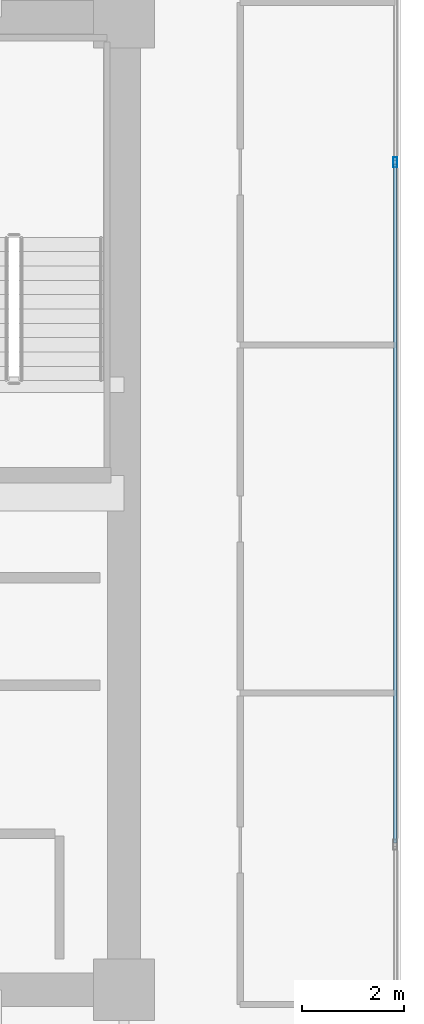
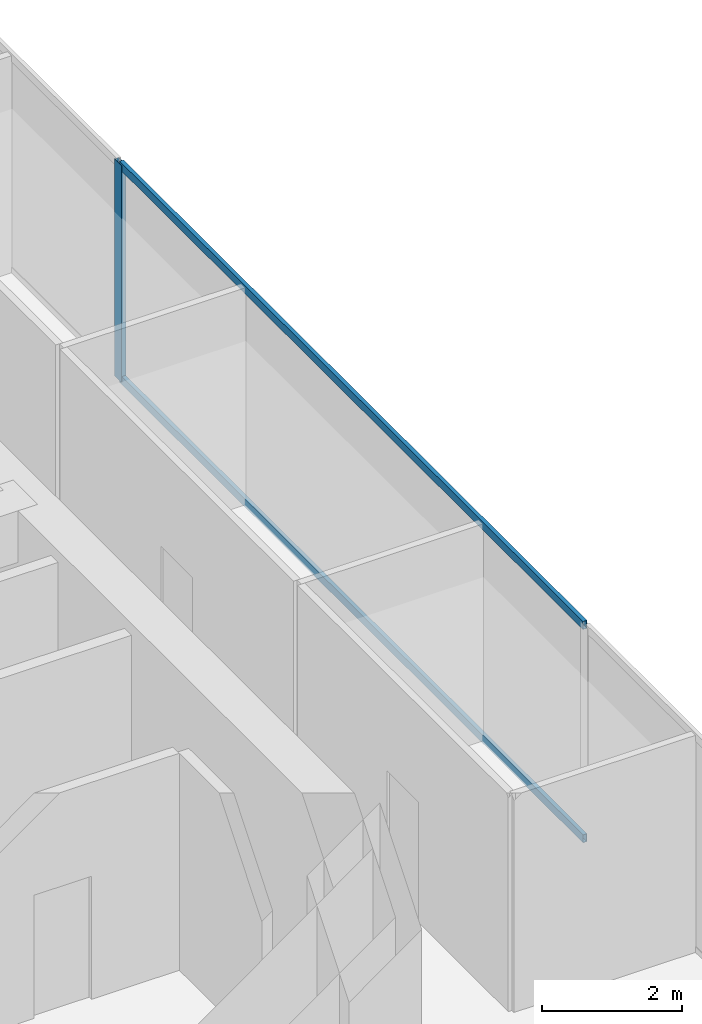
# One storey, part 22 of 33: 3 members, 1 element without a shape of its own.
"""IFC4 building model written with IfcOpenShell, lengths in metres."""

from ifc_helpers import new_model, si_unit, direction, frame, origin, origin_2d, place, context, subcontext, project, spatial, hollow_rectangle, extrude, source, transform, mapped, material, layer, layer_set, material_profile, profile_set, type_object, type_shapes, element, aggregate, save


model = new_model("IFC4")

# Units and contexts
model_context = context("Model", 3, precision=1e-05, world=origin(), true_north=direction((0.0, 1.0)))
body_context = subcontext(model_context, "Body", "Model", "MODEL_VIEW")
ifc_project = project(units=[si_unit("LENGTHUNIT", "METRE"), si_unit("AREAUNIT", "SQUARE_METRE"), si_unit("VOLUMEUNIT", "CUBIC_METRE"), si_unit("PLANEANGLEUNIT", "RADIAN"), si_unit("MASSUNIT", "GRAM", prefix="KILO")], contexts=[model_context])

# Site, building, storey
site_placement = place(None, origin())
site = spatial("IfcSite", under=ifc_project, at=site_placement, CompositionType="ELEMENT")
building_placement = place(site_placement, origin())
building = spatial("IfcBuilding", under=site, at=building_placement, Name="Haelvirn Gate Laboratories", CompositionType="ELEMENT")
storey_placement = place(building_placement, frame((0.0, 0.0, 117.39990234375)))
storey = spatial("IfcBuildingStorey", under=building, at=storey_placement, Name="L28", CompositionType="ELEMENT", Elevation=117.39990234375)

# Curtain wall, members
ifc_material_1 = material(Name="Anodised bronze unitised aluminium & triple low-E glass", Category="aluminium")
ifc_layer = layer(ifc_material_1, 0.179931640625, Name="CW-SYS-3")
ifc_layer_set = layer_set([ifc_layer], Name="Anodised bronze unitised aluminium & triple low-E glass")
curtain_wall_type = type_object("IfcCurtainWallType", Name="CW-SYS-3", PredefinedType="NOTDEFINED", material=ifc_layer_set)
curtain_wall_placement = place(storey_placement, origin())
curtain_wall = element("IfcCurtainWall", 1, at=curtain_wall_placement, inside=storey, type_object=curtain_wall_type, Name="L28 Unitised Curtain Wall CW-L28-P0-E07", PredefinedType="NOTDEFINED")
ifc_material_2 = material(Name="Extruded aluminium 6063-T6 (anodised bronze)", Category="aluminium")
ifc_material_profile_1 = material_profile(ifc_material_2, hollow_rectangle(XDim=0.06494140625, YDim=0.139892578125, WallThickness=0.00390625, at=origin_2d()), Name="CWT-140x65x4")
ifc_profile_set_1 = profile_set([ifc_material_profile_1], Name="Extruded aluminium 6063-T6 (anodised bronze)")
member_type_1 = type_object("IfcMemberType", Name="CWT-T140", PredefinedType="USERDEFINED", material=ifc_profile_set_1)
shared_shape_1 = source(origin(), body_context, "Body", "SweptSolid", [
    extrude(hollow_rectangle(XDim=0.06494140625, YDim=0.139892578125, WallThickness=0.00390625, at=origin_2d()), origin(), (0.0, 0.0, 1.0), 13.25830078125),
])
type_shapes(member_type_1, [shared_shape_1])
member_1_placement = place(storey_placement, frame((72.699951171875, 17.6708984375, 0.03271484375), z_axis=(0.0, 1.0, 0.0), x_axis=(-1.0, 0.0, 0.0)))
member_1 = element("IfcMember", 2, at=member_1_placement, type_object=member_type_1, Name="CW3 transom 2.1", ObjectType="TRANSOM", PredefinedType="USERDEFINED", context=body_context, shape_type="MappedRepresentation", body=[
    mapped(shared_shape_1, transform((0.0, 0.0, 0.0), scale=1.0)),
])
member_2_placement = place(storey_placement, frame((72.699951171875, 17.6708984375, 3.757568359375), z_axis=(0.0, 1.0, 0.0), x_axis=(-1.0, 0.0, 0.0)))
member_2 = element("IfcMember", 3, at=member_2_placement, type_object=member_type_1, Name="CW3 transom 2.2", ObjectType="TRANSOM", PredefinedType="USERDEFINED", context=body_context, shape_type="MappedRepresentation", body=[
    mapped(shared_shape_1, transform((0.0, 0.0, 0.0), scale=1.0)),
])
ifc_material_profile_2 = material_profile(ifc_material_2, hollow_rectangle(XDim=0.074951171875, YDim=0.199951171875, WallThickness=0.0048828125, at=origin_2d()), Name="CWM-200x75x5")
ifc_profile_set_2 = profile_set([ifc_material_profile_2], Name="Extruded aluminium 6063-T6 (anodised bronze)")
member_type_2 = type_object("IfcMemberType", Name="CWM-T200", PredefinedType="MULLION", material=ifc_profile_set_2)
shared_shape_2 = source(origin(), body_context, "Body", "SweptSolid", [
    extrude(hollow_rectangle(XDim=0.074951171875, YDim=0.199951171875, WallThickness=0.0048828125, at=origin_2d()), origin(), (0.0, 0.0, 1.0), 3.7900390625),
])
type_shapes(member_type_2, [shared_shape_2])
member_3_placement = place(storey_placement, frame((72.699951171875, 30.966552734375, 0.0), z_axis=(0.0, 0.0, 1.0), x_axis=(-1.0, 0.0, 0.0)))
member_3 = element("IfcMember", 4, at=member_3_placement, type_object=member_type_2, Name="CW3 mullion 3", PredefinedType="MULLION", context=body_context, shape_type="MappedRepresentation", body=[
    mapped(shared_shape_2, transform((0.0, 0.0, 0.0), scale=1.0)),
])
aggregate(curtain_wall, [member_3, member_1, member_2])

save(model, "model.ifc")
